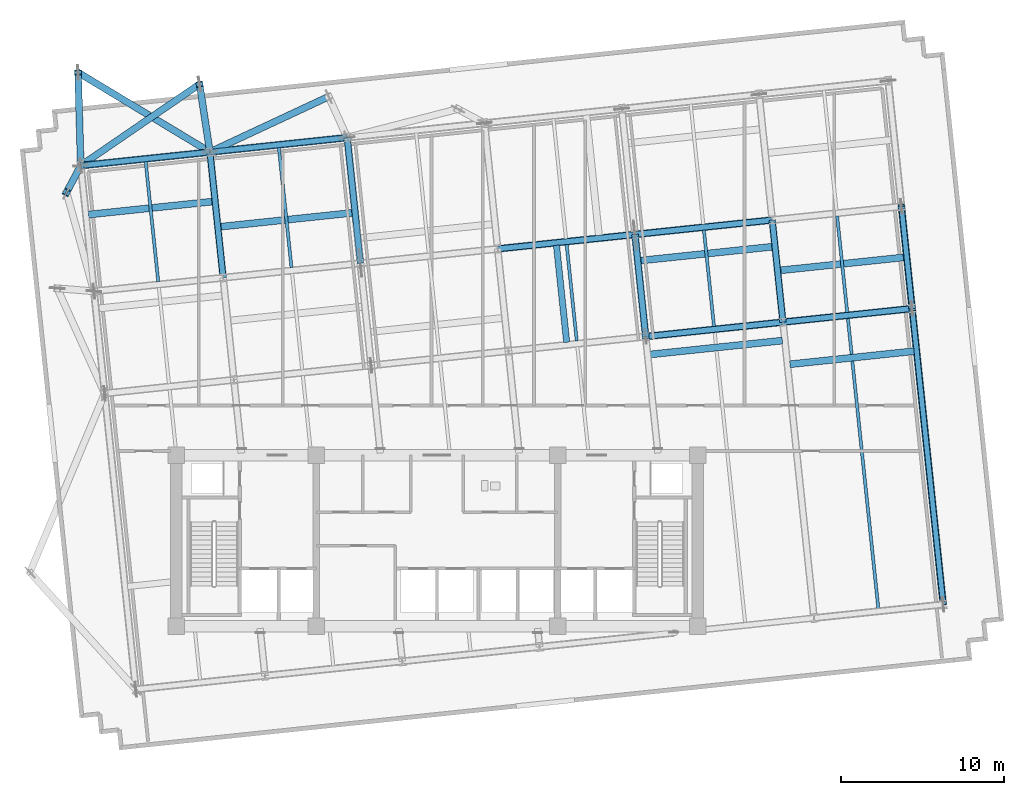
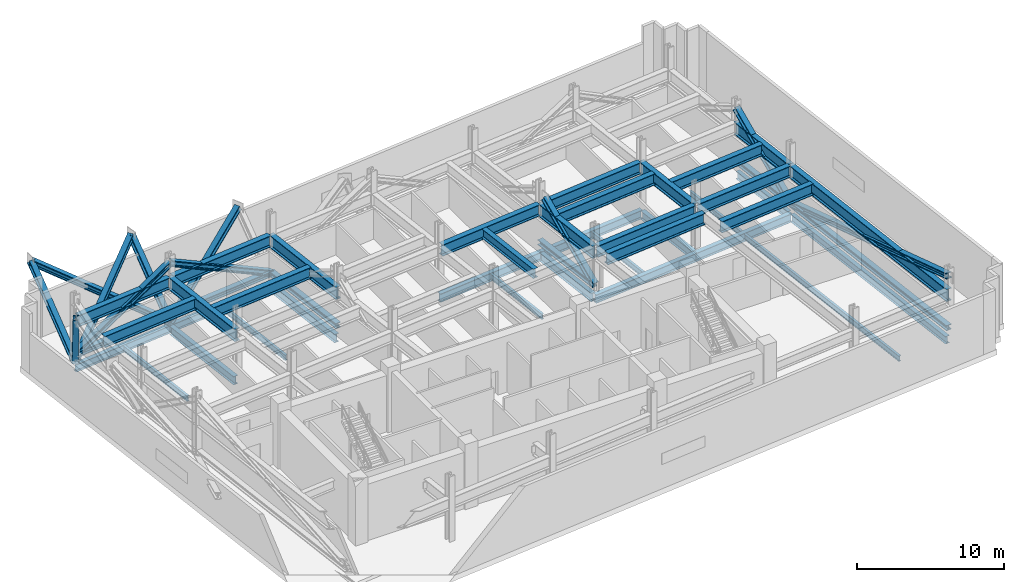
# One storey, part 3 of 11: 37 beams, 17 members.
"""IFC4 building model written with IfcOpenShell, lengths in metres."""

from ifc_helpers import new_model, si_unit, direction, frame, origin, origin_2d, place, context, subcontext, project, spatial, i_section, extrude, material, material_profile, profile_set, type_object, element, save


model = new_model("IFC4")

# Units and contexts
model_context = context("Model", 3, precision=1e-05, world=origin(), true_north=direction((0.0, 1.0)))
body_context = subcontext(model_context, "Body", "Model", "MODEL_VIEW")
ifc_project = project(units=[si_unit("LENGTHUNIT", "METRE"), si_unit("AREAUNIT", "SQUARE_METRE"), si_unit("VOLUMEUNIT", "CUBIC_METRE"), si_unit("PLANEANGLEUNIT", "RADIAN"), si_unit("MASSUNIT", "GRAM", prefix="KILO")], contexts=[model_context])

# Site, building, storey
site_placement = place(None, origin())
site = spatial("IfcSite", under=ifc_project, at=site_placement, CompositionType="ELEMENT")
building_placement = place(site_placement, origin())
building = spatial("IfcBuilding", under=site, at=building_placement, Name="Solmavex Isthmus Hotel", CompositionType="ELEMENT")
storey_placement = place(building_placement, frame((0.0, 0.0, 130.5)))
storey = spatial("IfcBuildingStorey", under=building, at=storey_placement, Name="L35", CompositionType="ELEMENT", Elevation=130.5)

# Beams
ifc_material_1 = material(Name="Steel ASTM A992 Grade 50", Category="steel")
ifc_material_profile_1 = material_profile(ifc_material_1, i_section(OverallWidth=0.354736328125, OverallDepth=0.695556640625, WebThickness=0.015380859375, FlangeThickness=0.02490234375, FilletRadius=0.017822265625, at=origin_2d()), Name="W27X146")
ifc_profile_set_1 = profile_set([ifc_material_profile_1], Name="Steel ASTM A992 Grade 50")
beam_type_1 = type_object("IfcBeamType", Name="BM-BG-W27X146", PredefinedType="BEAM", material=ifc_profile_set_1)
beam_1_placement = place(storey_placement, frame((12.800048828125, 4.7734375, -0.7978515625), z_axis=(0.994521085209, 0.104536171134, 0.0), x_axis=(-0.104536171134, 0.994521085209, 0.0)))
element("IfcBeam", 1, at=beam_1_placement, inside=storey, type_object=beam_type_1, Name="Floor Girder L35-UG11", PredefinedType="BEAM", context=body_context, shape_type="SweptSolid", body=[
    extrude(i_section(OverallWidth=0.354736328125, OverallDepth=0.695556640625, WebThickness=0.015380859375, FlangeThickness=0.02490234375, FilletRadius=0.017822265625, at=origin_2d()), origin(), (0.0, 0.0, 1.0), 8.466064453125),
])
beam_2_placement = place(storey_placement, frame((21.2197265625, 5.658447265625, -0.7978515625), z_axis=(0.994523402738, 0.104514120609, 0.0), x_axis=(-0.104514120609, 0.994523402738, 0.0)))
element("IfcBeam", 2, at=beam_2_placement, inside=storey, type_object=beam_type_1, Name="Floor Girder L35-UG12", PredefinedType="BEAM", context=body_context, shape_type="SweptSolid", body=[
    extrude(i_section(OverallWidth=0.354736328125, OverallDepth=0.695556640625, WebThickness=0.015380859375, FlangeThickness=0.02490234375, FilletRadius=0.017822265625, at=origin_2d()), origin(), (0.0, 0.0, 1.0), 7.968017578125),
])
for number, where, z_axis, x_axis, name in (
    (3, (3.72216796875, 10.152099609375, -0.7978515625), (0.994524082861, 0.104507648572, 0.0), (-0.104507648572, 0.994524082861, 0.0), "Floor Girder L35-UG16"),
    (4, (12.141845703125, 11.036865234375, -0.7978515625), (0.994521085209, 0.104536171134, 0.0), (-0.104536171134, 0.994521085209, 0.0), "Floor Girder L35-UG17"),
):
    element("IfcBeam", number, at=place(storey_placement, frame(where, z_axis=z_axis, x_axis=x_axis)), inside=storey, type_object=beam_type_1, Name=name, PredefinedType="BEAM", context=body_context, shape_type="SweptSolid", body=[
        extrude(i_section(OverallWidth=0.354736328125, OverallDepth=0.695556640625, WebThickness=0.015380859375, FlangeThickness=0.02490234375, FilletRadius=0.017822265625, at=origin_2d()), origin(), (0.0, 0.0, 1.0), 8.466064453125),
    ])
for number, where, z_axis, x_axis, name in (
    (5, (-13.135498046875, 8.55859375, -0.7978515625), (-0.1045578893, 0.994518802128, 0.0), (-0.994518802128, -0.1045578893, 0.0), "Floor Beam L35-VG31"),
    (6, (-4.716064453125, 9.443603515625, -0.7978515625), (-0.104525307271, 0.994522227072, 0.0), (-0.994522227072, -0.104525307271, 0.0), "Floor Beam L35-VG35"),
):
    element("IfcBeam", number, at=place(storey_placement, frame(where, z_axis=z_axis, x_axis=x_axis)), inside=storey, type_object=beam_type_1, Name=name, PredefinedType="BEAM", context=body_context, shape_type="SweptSolid", body=[
        extrude(i_section(OverallWidth=0.354736328125, OverallDepth=0.695556640625, WebThickness=0.015380859375, FlangeThickness=0.02490234375, FilletRadius=0.017822265625, at=origin_2d()), origin(), (0.0, 0.0, 1.0), 7.4111328125),
    ])
for number, where, z_axis, x_axis, name in (
    (7, (12.781494140625, 4.949951171875, -0.7978515625), (-0.104505160346, 0.994524344328, 0.0), (-0.994524344328, -0.104505160346, 0.0), "Floor Beam L35-VG41"),
    (8, (21.201171875, 5.834716796875, -0.7978515625), (-0.104505160346, 0.994524344328, 0.0), (-0.994524344328, -0.104505160346, 0.0), "Floor Beam L35-VG44"),
):
    element("IfcBeam", number, at=place(storey_placement, frame(where, z_axis=z_axis, x_axis=x_axis)), inside=storey, type_object=beam_type_1, Name=name, PredefinedType="BEAM", context=body_context, shape_type="SweptSolid", body=[
        extrude(i_section(OverallWidth=0.354736328125, OverallDepth=0.695556640625, WebThickness=0.015380859375, FlangeThickness=0.02490234375, FilletRadius=0.017822265625, at=origin_2d()), origin(), (0.0, 0.0, 1.0), 5.943115234375),
    ])
ifc_material_profile_2 = material_profile(ifc_material_1, i_section(OverallWidth=0.380615234375, OverallDepth=0.773193359375, WebThickness=0.0166015625, FlangeThickness=0.027099609375, FilletRadius=0.01904296875, at=origin_2d()), Name="W30X173")
ifc_profile_set_2 = profile_set([ifc_material_profile_2], Name="Steel ASTM A992 Grade 50")
beam_type_2 = type_object("IfcBeamType", Name="BM-BG-W30X173", PredefinedType="BEAM", material=ifc_profile_set_2)
beam_3_placement = place(storey_placement, frame((7.953125, 4.419921875, 3.183349609375), z_axis=(-0.104540460253, 0.994520634361, 0.0), x_axis=(-0.994520634361, -0.104540460253, 0.0)))
element("IfcBeam", 9, at=beam_3_placement, inside=storey, type_object=beam_type_2, Name="Floor Framing Cross Girder L35-XLC56", PredefinedType="BEAM", context=body_context, shape_type="SweptSolid", body=[
    extrude(i_section(OverallWidth=0.380615234375, OverallDepth=0.773193359375, WebThickness=0.0166015625, FlangeThickness=0.027099609375, FilletRadius=0.01904296875, at=origin_2d()), origin(), (0.0, 0.0, 1.0), 5.98779296875),
])
ifc_material_profile_3 = material_profile(ifc_material_1, i_section(OverallWidth=0.1904296875, OverallDepth=0.456787109375, WebThickness=0.009033203125, FlangeThickness=0.014404296875, FilletRadius=0.0126953125, at=origin_2d()), Name="W18X50")
ifc_profile_set_3 = profile_set([ifc_material_profile_3], Name="Steel ASTM A992 Grade 50")
beam_type_3 = type_object("IfcBeamType", Name="BM-BJ-W18X50", PredefinedType="JOIST", material=ifc_profile_set_3)
beam_4_placement = place(storey_placement, frame((-17.097900390625, 8.14208984375, -0.678466796875), z_axis=(-0.104525307271, 0.994522227072, 0.0), x_axis=(-0.994522227072, -0.104525307271, 0.0)))
element("IfcBeam", 10, at=beam_4_placement, inside=storey, type_object=beam_type_3, Name="Secondary Floor Joist L35-J04", PredefinedType="JOIST", context=body_context, shape_type="SweptSolid", body=[
    extrude(i_section(OverallWidth=0.1904296875, OverallDepth=0.456787109375, WebThickness=0.009033203125, FlangeThickness=0.014404296875, FilletRadius=0.0126953125, at=origin_2d()), origin(), (0.0, 0.0, 1.0), 7.4111328125),
])
beam_5_placement = place(storey_placement, frame((-8.92578125, 9.0009765625, -0.678466796875), z_axis=(-0.10452188296, 0.994522586964, 0.0), x_axis=(-0.994522586964, -0.10452188296, 0.0)))
element("IfcBeam", 11, at=beam_5_placement, inside=storey, type_object=beam_type_3, Name="Secondary Floor Joist L35-J08", PredefinedType="JOIST", context=body_context, shape_type="SweptSolid", body=[
    extrude(i_section(OverallWidth=0.1904296875, OverallDepth=0.456787109375, WebThickness=0.009033203125, FlangeThickness=0.014404296875, FilletRadius=0.0126953125, at=origin_2d()), origin(), (0.0, 0.0, 1.0), 7.411376953125),
])
for number, where, z_axis, x_axis, name in (
    (12, (8.57177734375, 4.50732421875, -0.678466796875), (-0.104545790518, 0.994520074048, 0.0), (-0.994520074048, -0.104545790518, 0.0), "Secondary Floor Joist L35-J14"),
    (13, (16.991455078125, 5.392333984375, -0.678466796875), (-0.104545790518, 0.994520074048, 0.0), (-0.994520074048, -0.104545790518, 0.0), "Secondary Floor Joist L35-J17"),
):
    element("IfcBeam", number, at=place(storey_placement, frame(where, z_axis=z_axis, x_axis=x_axis)), inside=storey, type_object=beam_type_3, Name=name, PredefinedType="JOIST", context=body_context, shape_type="SweptSolid", body=[
        extrude(i_section(OverallWidth=0.1904296875, OverallDepth=0.456787109375, WebThickness=0.009033203125, FlangeThickness=0.014404296875, FilletRadius=0.0126953125, at=origin_2d()), origin(), (0.0, 0.0, 1.0), 5.943115234375),
    ])
beam_6_placement = place(storey_placement, frame((27.072509765625, -11.912841796875, -0.678466796875), z_axis=(-0.104530088192, 0.99452172458, 0.0), x_axis=(-0.99452172458, -0.104530088192, 0.0)))
element("IfcBeam", 14, at=beam_6_placement, inside=storey, type_object=beam_type_3, Name="Secondary Floor Joist L35-J19", PredefinedType="JOIST", context=body_context, shape_type="SweptSolid", body=[
    extrude(i_section(OverallWidth=0.1904296875, OverallDepth=0.456787109375, WebThickness=0.009033203125, FlangeThickness=0.014404296875, FilletRadius=0.0126953125, at=origin_2d()), origin(), (0.0, 0.0, 1.0), 17.909423828125),
])
beam_7_placement = place(storey_placement, frame((25.163330078125, 6.251220703125, -0.678466796875), z_axis=(-0.104505160346, 0.994524344328, 0.0), x_axis=(-0.994524344328, -0.104505160346, 0.0)))
element("IfcBeam", 15, at=beam_7_placement, inside=storey, type_object=beam_type_3, Name="Secondary Floor Joist L35-J20", PredefinedType="JOIST", context=body_context, shape_type="SweptSolid", body=[
    extrude(i_section(OverallWidth=0.1904296875, OverallDepth=0.456787109375, WebThickness=0.009033203125, FlangeThickness=0.014404296875, FilletRadius=0.0126953125, at=origin_2d()), origin(), (0.0, 0.0, 1.0), 5.943115234375),
])
ifc_material_profile_4 = material_profile(ifc_material_1, i_section(OverallWidth=0.326416015625, OverallDepth=0.621826171875, WebThickness=0.015380859375, FlangeThickness=0.0244140625, FilletRadius=0.01513671875, at=origin_2d()), Name="W24X131")
ifc_profile_set_4 = profile_set([ifc_material_profile_4], Name="Steel ASTM A992 Grade 50")
beam_type_4 = type_object("IfcBeamType", Name="BM-SP-W24X131", PredefinedType="SPANDREL", material=ifc_profile_set_4)
beam_8_placement = place(storey_placement, frame((-21.851806640625, 15.2587890625, -0.760986328125), z_axis=(0.994523402738, 0.104514120609, 0.0), x_axis=(-0.104514120609, 0.994523402738, 0.0)))
element("IfcBeam", 16, at=beam_8_placement, inside=storey, type_object=beam_type_4, Name="Floor Girder L35-UG19", PredefinedType="SPANDREL", context=body_context, shape_type="SweptSolid", body=[
    extrude(i_section(OverallWidth=0.326416015625, OverallDepth=0.621826171875, WebThickness=0.015380859375, FlangeThickness=0.0244140625, FilletRadius=0.01513671875, at=origin_2d()), origin(), (0.0, 0.0, 1.0), 7.968017578125),
])
beam_9_placement = place(storey_placement, frame((-13.927490234375, 16.091552734375, -0.760986328125), z_axis=(0.994521085209, 0.104536171134, 0.0), x_axis=(-0.104536171134, 0.994521085209, 0.0)))
element("IfcBeam", 17, at=beam_9_placement, inside=storey, type_object=beam_type_4, Name="Floor Girder L35-UG20", PredefinedType="SPANDREL", context=body_context, shape_type="SweptSolid", body=[
    extrude(i_section(OverallWidth=0.326416015625, OverallDepth=0.621826171875, WebThickness=0.015380859375, FlangeThickness=0.0244140625, FilletRadius=0.01513671875, at=origin_2d()), origin(), (0.0, 0.0, 1.0), 8.466064453125),
])
beam_10_placement = place(storey_placement, frame((31.03466796875, -11.496337890625, -0.760986328125), z_axis=(-0.104530088192, 0.99452172458, 0.0), x_axis=(-0.99452172458, -0.104530088192, 0.0)))
element("IfcBeam", 18, at=beam_10_placement, inside=storey, type_object=beam_type_4, Name="Floor Beam L35-VG46", PredefinedType="SPANDREL", context=body_context, shape_type="SweptSolid", body=[
    extrude(i_section(OverallWidth=0.326416015625, OverallDepth=0.621826171875, WebThickness=0.015380859375, FlangeThickness=0.0244140625, FilletRadius=0.01513671875, at=origin_2d()), origin(), (0.0, 0.0, 1.0), 17.909423828125),
])
beam_11_placement = place(storey_placement, frame((29.12548828125, 6.667724609375, -0.760986328125), z_axis=(-0.104505160346, 0.994524344328, 0.0), x_axis=(-0.994524344328, -0.104505160346, 0.0)))
element("IfcBeam", 19, at=beam_11_placement, inside=storey, type_object=beam_type_4, Name="Floor Beam L35-VG47", PredefinedType="SPANDREL", context=body_context, shape_type="SweptSolid", body=[
    extrude(i_section(OverallWidth=0.326416015625, OverallDepth=0.621826171875, WebThickness=0.015380859375, FlangeThickness=0.0244140625, FilletRadius=0.01513671875, at=origin_2d()), origin(), (0.0, 0.0, 1.0), 5.943115234375),
])
ifc_material_2 = material(Name="Steel ASTM A913 Grade 65", Category="steel")
ifc_material_profile_5 = material_profile(ifc_material_2, i_section(OverallWidth=0.423095703125, OverallDepth=0.93896484375, WebThickness=0.02392578125, FlangeThickness=0.042724609375, FilletRadius=0.024169921875, at=origin_2d()), Name="W36X302")
ifc_profile_set_5 = profile_set([ifc_material_profile_5], Name="Steel ASTM A913 Grade 65")
beam_type_5 = type_object("IfcBeamType", Name="BM-TB-W36X302", PredefinedType="BEAM", material=ifc_profile_set_5)
beam_12_placement = place(storey_placement, frame((12.954345703125, 4.78955078125, 3.1005859375), z_axis=(0.994521842818, 0.104528963253, 0.0), x_axis=(-0.104528963253, 0.994521842818, 0.0)))
element("IfcBeam", 20, at=beam_12_placement, inside=storey, type_object=beam_type_5, Name="Horizontal Outrigger Collector Girder L35-XLC35", PredefinedType="BEAM", context=body_context, shape_type="SweptSolid", body=[
    extrude(i_section(OverallWidth=0.423095703125, OverallDepth=0.93896484375, WebThickness=0.02392578125, FlangeThickness=0.042724609375, FilletRadius=0.024169921875, at=origin_2d()), origin(), (0.0, 0.0, 1.0), 8.156005859375),
])
beam_13_placement = place(storey_placement, frame((21.373779296875, 5.674560546875, 3.1005859375), z_axis=(0.99452133767, 0.104533769272, 0.0), x_axis=(-0.104533769272, 0.99452133767, 0.0)))
element("IfcBeam", 21, at=beam_13_placement, inside=storey, type_object=beam_type_5, Name="Horizontal Outrigger Collector Girder L35-XLC36", PredefinedType="BEAM", context=body_context, shape_type="SweptSolid", body=[
    extrude(i_section(OverallWidth=0.423095703125, OverallDepth=0.93896484375, WebThickness=0.02392578125, FlangeThickness=0.042724609375, FilletRadius=0.024169921875, at=origin_2d()), origin(), (0.0, 0.0, 1.0), 7.658203125),
])
for number, where, z_axis, x_axis, name in (
    (22, (3.876220703125, 10.168212890625, 3.1005859375), (0.994521842818, 0.104528963253, 0.0), (-0.104528963253, 0.994521842818, 0.0), "Horizontal Outrigger Collector Girder L35-XLC40"),
    (23, (12.2958984375, 11.05322265625, 3.1005859375), (0.994521842818, 0.104528963253, 0.0), (-0.104528963253, 0.994521842818, 0.0), "Horizontal Outrigger Collector Girder L35-XLC41"),
):
    element("IfcBeam", number, at=place(storey_placement, frame(where, z_axis=z_axis, x_axis=x_axis)), inside=storey, type_object=beam_type_5, Name=name, PredefinedType="BEAM", context=body_context, shape_type="SweptSolid", body=[
        extrude(i_section(OverallWidth=0.423095703125, OverallDepth=0.93896484375, WebThickness=0.02392578125, FlangeThickness=0.042724609375, FilletRadius=0.024169921875, at=origin_2d()), origin(), (0.0, 0.0, 1.0), 8.156005859375),
    ])
beam_14_placement = place(storey_placement, frame((-21.697509765625, 15.27490234375, 3.1005859375), z_axis=(0.994520989294, 0.104537083632, 0.0), x_axis=(-0.104537083632, 0.994520989294, 0.0)))
element("IfcBeam", 24, at=beam_14_placement, inside=storey, type_object=beam_type_5, Name="Horizontal Outrigger Collector Girder L35-XLC43", PredefinedType="BEAM", context=body_context, shape_type="SweptSolid", body=[
    extrude(i_section(OverallWidth=0.423095703125, OverallDepth=0.93896484375, WebThickness=0.02392578125, FlangeThickness=0.042724609375, FilletRadius=0.024169921875, at=origin_2d()), origin(), (0.0, 0.0, 1.0), 7.657958984375),
])
beam_15_placement = place(storey_placement, frame((-13.773193359375, 16.10791015625, 3.1005859375), z_axis=(0.994521842818, 0.104528963253, 0.0), x_axis=(-0.104528963253, 0.994521842818, 0.0)))
element("IfcBeam", 25, at=beam_15_placement, inside=storey, type_object=beam_type_5, Name="Horizontal Outrigger Collector Girder L35-XLC44", PredefinedType="BEAM", context=body_context, shape_type="SweptSolid", body=[
    extrude(i_section(OverallWidth=0.423095703125, OverallDepth=0.93896484375, WebThickness=0.02392578125, FlangeThickness=0.042724609375, FilletRadius=0.024169921875, at=origin_2d()), origin(), (0.0, 0.0, 1.0), 8.156005859375),
])
beam_16_placement = place(storey_placement, frame((-21.380126953125, 12.254150390625, 3.1005859375), z_axis=(0.99452133767, 0.104533769272, 0.0), x_axis=(-0.104533769272, 0.99452133767, 0.0)))
element("IfcBeam", 26, at=beam_16_placement, inside=storey, type_object=beam_type_5, Name="Horizontal Outrigger Collector Girder L35-XLC51", PredefinedType="BEAM", context=body_context, shape_type="SweptSolid", body=[
    extrude(i_section(OverallWidth=0.423095703125, OverallDepth=0.93896484375, WebThickness=0.02392578125, FlangeThickness=0.042724609375, FilletRadius=0.024169921875, at=origin_2d()), origin(), (0.0, 0.0, 1.0), 7.658203125),
])
for number, where, z_axis, x_axis, name in (
    (27, (-13.2900390625, 11.509521484375, 3.1005859375), (0.994521842818, 0.104528963253, 0.0), (-0.104528963253, 0.994521842818, 0.0), "Horizontal Outrigger Collector Girder L35-XLC53"),
    (28, (13.071533203125, 3.67431640625, 3.1005859375), (0.994521842818, 0.104528963253, 0.0), (-0.104528963253, 0.994521842818, 0.0), "Horizontal Outrigger Collector Girder L35-XLC58"),
    (29, (12.46630859375, 9.431884765625, 3.1005859375), (0.994521842818, 0.104528963253, 0.0), (-0.104528963253, 0.994521842818, 0.0), "Horizontal Outrigger Collector Girder L35-XLC59"),
):
    element("IfcBeam", number, at=place(storey_placement, frame(where, z_axis=z_axis, x_axis=x_axis)), inside=storey, type_object=beam_type_5, Name=name, PredefinedType="BEAM", context=body_context, shape_type="SweptSolid", body=[
        extrude(i_section(OverallWidth=0.423095703125, OverallDepth=0.93896484375, WebThickness=0.02392578125, FlangeThickness=0.042724609375, FilletRadius=0.024169921875, at=origin_2d()), origin(), (0.0, 0.0, 1.0), 8.156005859375),
    ])
for number, where, z_axis, x_axis, name in (
    (30, (21.647216796875, 3.074462890625, 3.1005859375), (0.994520989294, 0.104537083632, 0.0), (-0.104537083632, 0.994520989294, 0.0), "Horizontal Outrigger Collector Girder L35-XLC61"),
    (31, (21.0419921875, 8.832275390625, 3.1005859375), (0.994524303269, 0.104505551086, 0.0), (-0.104505551086, 0.994524303269, 0.0), "Horizontal Outrigger Collector Girder L35-XLC62"),
):
    element("IfcBeam", number, at=place(storey_placement, frame(where, z_axis=z_axis, x_axis=x_axis)), inside=storey, type_object=beam_type_5, Name=name, PredefinedType="BEAM", context=body_context, shape_type="SweptSolid", body=[
        extrude(i_section(OverallWidth=0.423095703125, OverallDepth=0.93896484375, WebThickness=0.02392578125, FlangeThickness=0.042724609375, FilletRadius=0.024169921875, at=origin_2d()), origin(), (0.0, 0.0, 1.0), 7.657958984375),
    ])
ifc_material_profile_6 = material_profile(ifc_material_2, i_section(OverallWidth=0.409423828125, OverallDepth=1.036376953125, WebThickness=0.031005859375, FlangeThickness=0.055908203125, FilletRadius=0.030517578125, at=origin_2d()), Name="W40X397")
ifc_profile_set_6 = profile_set([ifc_material_profile_6], Name="Steel ASTM A913 Grade 65")
beam_type_6 = type_object("IfcBeamType", Name="BM-TB-W40X397B", PredefinedType="BEAM", material=ifc_profile_set_6)
for number, where, z_axis, x_axis, name in (
    (32, (-13.1171875, 8.382080078125, 3.0517578125), (-0.104529038259, 0.994521834934, 0.0), (-0.994521834934, -0.104529038259, 0.0), "Horizontal Transfer Carrier Girder L35-XLC07"),
    (33, (-4.697509765625, 9.26708984375, 3.0517578125), (-0.104529038259, 0.994521834934, 0.0), (-0.994521834934, -0.104529038259, 0.0), "Horizontal Transfer Carrier Girder L35-XLC11"),
):
    element("IfcBeam", number, at=place(storey_placement, frame(where, z_axis=z_axis, x_axis=x_axis)), inside=storey, type_object=beam_type_6, Name=name, PredefinedType="BEAM", context=body_context, shape_type="SweptSolid", body=[
        extrude(i_section(OverallWidth=0.409423828125, OverallDepth=1.036376953125, WebThickness=0.031005859375, FlangeThickness=0.055908203125, FilletRadius=0.030517578125, at=origin_2d()), origin(), (0.0, 0.0, 1.0), 7.751953125),
    ])
for number, where, z_axis, x_axis, name in (
    (34, (12.800048828125, 4.7734375, 3.0517578125), (-0.104511241839, 0.994523705263, 0.0), (-0.994523705263, -0.104511241839, 0.0), "Horizontal Transfer Carrier Girder L35-XLC17"),
    (35, (21.2197265625, 5.658447265625, 3.0517578125), (-0.104511241839, 0.994523705263, 0.0), (-0.994523705263, -0.104511241839, 0.0), "Horizontal Transfer Carrier Girder L35-XLC20"),
):
    element("IfcBeam", number, at=place(storey_placement, frame(where, z_axis=z_axis, x_axis=x_axis)), inside=storey, type_object=beam_type_6, Name=name, PredefinedType="BEAM", context=body_context, shape_type="SweptSolid", body=[
        extrude(i_section(OverallWidth=0.409423828125, OverallDepth=1.036376953125, WebThickness=0.031005859375, FlangeThickness=0.055908203125, FilletRadius=0.030517578125, at=origin_2d()), origin(), (0.0, 0.0, 1.0), 6.2978515625),
    ])
beam_17_placement = place(storey_placement, frame((31.0517578125, -11.65869140625, 3.0517578125), z_axis=(-0.104532974434, 0.994521421215, 0.0), x_axis=(-0.994521421215, -0.104532974434, 0.0)))
element("IfcBeam", 36, at=beam_17_placement, inside=storey, type_object=beam_type_6, Name="Horizontal Transfer Carrier Girder L35-XLC22", PredefinedType="BEAM", context=body_context, shape_type="SweptSolid", body=[
    extrude(i_section(OverallWidth=0.409423828125, OverallDepth=1.036376953125, WebThickness=0.031005859375, FlangeThickness=0.055908203125, FilletRadius=0.030517578125, at=origin_2d()), origin(), (0.0, 0.0, 1.0), 18.25),
])
beam_18_placement = place(storey_placement, frame((29.14404296875, 6.4912109375, 3.0517578125), z_axis=(-0.104511241839, 0.994523705263, 0.0), x_axis=(-0.994523705263, -0.104511241839, 0.0)))
element("IfcBeam", 37, at=beam_18_placement, inside=storey, type_object=beam_type_6, Name="Horizontal Transfer Carrier Girder L35-XLC23", PredefinedType="BEAM", context=body_context, shape_type="SweptSolid", body=[
    extrude(i_section(OverallWidth=0.409423828125, OverallDepth=1.036376953125, WebThickness=0.031005859375, FlangeThickness=0.055908203125, FilletRadius=0.030517578125, at=origin_2d()), origin(), (0.0, 0.0, 1.0), 6.2978515625),
])

# Members
ifc_material_profile_7 = material_profile(ifc_material_2, i_section(OverallWidth=0.412109375, OverallDepth=0.434814453125, WebThickness=0.035888671875, FlangeThickness=0.057373046875, FilletRadius=0.030517578125, at=origin_2d()), Name="W14X311")
ifc_profile_set_7 = profile_set([ifc_material_profile_7], Name="Steel ASTM A913 Grade 65")
member_type_1 = type_object("IfcMemberType", Name="MEM-TC-W14X311", PredefinedType="CHORD", material=ifc_profile_set_7)
member_1_placement = place(storey_placement, frame((-21.851806640625, 15.2587890625, 0.35009765625), z_axis=(0.994523402738, 0.104514120609, 0.0), x_axis=(-0.104514120609, 0.994523402738, 0.0)))
element("IfcMember", 38, at=member_1_placement, inside=storey, type_object=member_type_1, Name="Outrigger and Belt Transfer Truss Bottom Chord BT-L35-N-01", PredefinedType="CHORD", context=body_context, shape_type="SweptSolid", body=[
    extrude(i_section(OverallWidth=0.412109375, OverallDepth=0.434814453125, WebThickness=0.035888671875, FlangeThickness=0.057373046875, FilletRadius=0.030517578125, at=origin_2d()), origin(), (0.0, 0.0, 1.0), 7.968017578125),
])
member_2_placement = place(storey_placement, frame((-13.927490234375, 16.091552734375, 0.35009765625), z_axis=(0.994521085209, 0.104536171134, 0.0), x_axis=(-0.104536171134, 0.994521085209, 0.0)))
element("IfcMember", 39, at=member_2_placement, inside=storey, type_object=member_type_1, Name="Outrigger and Belt Transfer Truss Bottom Chord BT-L35-N-02", PredefinedType="CHORD", context=body_context, shape_type="SweptSolid", body=[
    extrude(i_section(OverallWidth=0.412109375, OverallDepth=0.434814453125, WebThickness=0.035888671875, FlangeThickness=0.057373046875, FilletRadius=0.030517578125, at=origin_2d()), origin(), (0.0, 0.0, 1.0), 8.466064453125),
])
member_3_placement = place(storey_placement, frame((31.0517578125, -11.65869140625, 0.35009765625), z_axis=(-0.104532974434, 0.994521421215, 0.0), x_axis=(-0.994521421215, -0.104532974434, 0.0)))
element("IfcMember", 40, at=member_3_placement, inside=storey, type_object=member_type_1, Name="Outrigger and Belt Transfer Truss Bottom Chord BT-L35-E-10", PredefinedType="CHORD", context=body_context, shape_type="SweptSolid", body=[
    extrude(i_section(OverallWidth=0.412109375, OverallDepth=0.434814453125, WebThickness=0.035888671875, FlangeThickness=0.057373046875, FilletRadius=0.030517578125, at=origin_2d()), origin(), (0.0, 0.0, 1.0), 18.25),
])
member_4_placement = place(storey_placement, frame((29.14404296875, 6.4912109375, 0.35009765625), z_axis=(-0.104511241839, 0.994523705263, 0.0), x_axis=(-0.994523705263, -0.104511241839, 0.0)))
element("IfcMember", 41, at=member_4_placement, inside=storey, type_object=member_type_1, Name="Outrigger and Belt Transfer Truss Bottom Chord BT-L35-E-11", PredefinedType="CHORD", context=body_context, shape_type="SweptSolid", body=[
    extrude(i_section(OverallWidth=0.412109375, OverallDepth=0.434814453125, WebThickness=0.035888671875, FlangeThickness=0.057373046875, FilletRadius=0.030517578125, at=origin_2d()), origin(), (0.0, 0.0, 1.0), 6.2978515625),
])
member_5_placement = place(storey_placement, frame((-4.697509765625, 9.26708984375, 0.35009765625), z_axis=(-0.104529038259, 0.994521834934, 0.0), x_axis=(-0.994521834934, -0.104529038259, 0.0)))
element("IfcMember", 42, at=member_5_placement, inside=storey, type_object=member_type_1, Name="Outrigger and Belt Transfer Truss Bottom Chord OT-L35-W-14", PredefinedType="CHORD", context=body_context, shape_type="SweptSolid", body=[
    extrude(i_section(OverallWidth=0.412109375, OverallDepth=0.434814453125, WebThickness=0.035888671875, FlangeThickness=0.057373046875, FilletRadius=0.030517578125, at=origin_2d()), origin(), (0.0, 0.0, 1.0), 7.751953125),
])
member_6_placement = place(storey_placement, frame((12.800048828125, 4.7734375, 0.35009765625), z_axis=(-0.104511241839, 0.994523705263, 0.0), x_axis=(-0.994523705263, -0.104511241839, 0.0)))
element("IfcMember", 43, at=member_6_placement, inside=storey, type_object=member_type_1, Name="Outrigger and Belt Transfer Truss Bottom Chord OT-L35-E-15", PredefinedType="CHORD", context=body_context, shape_type="SweptSolid", body=[
    extrude(i_section(OverallWidth=0.412109375, OverallDepth=0.434814453125, WebThickness=0.035888671875, FlangeThickness=0.057373046875, FilletRadius=0.030517578125, at=origin_2d()), origin(), (0.0, 0.0, 1.0), 6.2978515625),
])
ifc_material_profile_8 = material_profile(ifc_material_2, i_section(OverallWidth=0.41845703125, OverallDepth=0.455078125, WebThickness=0.0419921875, FlangeThickness=0.067626953125, FilletRadius=0.030517578125, at=origin_2d()), Name="W14X370")
ifc_profile_set_8 = profile_set([ifc_material_profile_8], Name="Steel ASTM A913 Grade 65")
member_type_2 = type_object("IfcMemberType", Name="MEM-TM-W14X370", PredefinedType="BRACE", material=ifc_profile_set_8)
member_7_placement = place(storey_placement, frame((-21.851806640625, 15.2587890625, -0.25), z_axis=(-0.166554565318, -0.313780231137, 0.934773525149), x_axis=(0.883280325001, -0.468845248954, 0.0)))
element("IfcMember", 44, at=member_7_placement, inside=storey, type_object=member_type_2, Name="Perimeter Facade Transfer Bracket L35-FBR05", PredefinedType="BRACE", context=body_context, shape_type="SweptSolid", body=[
    extrude(i_section(OverallWidth=0.41845703125, OverallDepth=0.455078125, WebThickness=0.0419921875, FlangeThickness=0.067626953125, FilletRadius=0.030517578125, at=origin_2d()), origin(), (0.0, 0.0, 1.0), 5.24169921875),
])
member_8_placement = place(storey_placement, frame((-21.851806640625, 15.2587890625, -0.25), z_axis=(-0.021857487689, 0.758882892315, 0.650860204639), x_axis=(-0.999585474874, -0.02879024871, 0.0)))
element("IfcMember", 45, at=member_8_placement, inside=storey, type_object=member_type_2, Name="Perimeter Facade Transfer Bracket L35-FBR07", PredefinedType="BRACE", context=body_context, shape_type="SweptSolid", body=[
    extrude(i_section(OverallWidth=0.41845703125, OverallDepth=0.455078125, WebThickness=0.0419921875, FlangeThickness=0.067626953125, FilletRadius=0.030517578125, at=origin_2d()), origin(), (0.0, 0.0, 1.0), 7.5283203125),
])
member_9_placement = place(storey_placement, frame((-13.927490234375, 16.091552734375, -0.25), z_axis=(-0.760073322542, 0.458585829941, 0.460421090891), x_axis=(-0.516599641107, -0.856227078997, 0.0)))
element("IfcMember", 46, at=member_9_placement, inside=storey, type_object=member_type_2, Name="Perimeter Facade Transfer Bracket L35-FBR08", PredefinedType="BRACE", context=body_context, shape_type="SweptSolid", body=[
    extrude(i_section(OverallWidth=0.41845703125, OverallDepth=0.455078125, WebThickness=0.0419921875, FlangeThickness=0.067626953125, FilletRadius=0.030517578125, at=origin_2d()), origin(), (0.0, 0.0, 1.0), 10.642333984375),
])
member_10_placement = place(storey_placement, frame((-13.927490234375, 16.091552734375, -0.25), z_axis=(-0.098326846676, 0.644301589478, 0.758424217057), x_axis=(-0.988554635092, -0.150863293872, 0.0)))
element("IfcMember", 47, at=member_10_placement, inside=storey, type_object=member_type_2, Name="Perimeter Facade Transfer Bracket L35-FBR09", PredefinedType="BRACE", context=body_context, shape_type="SweptSolid", body=[
    extrude(i_section(OverallWidth=0.41845703125, OverallDepth=0.455078125, WebThickness=0.0419921875, FlangeThickness=0.067626953125, FilletRadius=0.030517578125, at=origin_2d()), origin(), (0.0, 0.0, 1.0), 6.460693359375),
])
member_11_placement = place(storey_placement, frame((-21.851806640625, 15.2587890625, -0.25), z_axis=(0.72139554745, 0.494388876486, 0.484941339675), x_axis=(-0.565308733408, 0.824879406903, 0.0)))
element("IfcMember", 48, at=member_11_placement, inside=storey, type_object=member_type_2, Name="Perimeter Facade Transfer Bracket L35-FBR10", PredefinedType="BRACE", context=body_context, shape_type="SweptSolid", body=[
    extrude(i_section(OverallWidth=0.41845703125, OverallDepth=0.455078125, WebThickness=0.0419921875, FlangeThickness=0.067626953125, FilletRadius=0.030517578125, at=origin_2d()), origin(), (0.0, 0.0, 1.0), 10.10400390625),
])
member_12_placement = place(storey_placement, frame((-13.927490234375, 16.091552734375, -0.25), z_axis=(0.773734495517, 0.361167727546, 0.520473633363), x_axis=(-0.422973582874, 0.906142013258, 0.0)))
element("IfcMember", 49, at=member_12_placement, inside=storey, type_object=member_type_2, Name="Perimeter Facade Transfer Bracket L35-FBR12", PredefinedType="BRACE", context=body_context, shape_type="SweptSolid", body=[
    extrude(i_section(OverallWidth=0.41845703125, OverallDepth=0.455078125, WebThickness=0.0419921875, FlangeThickness=0.067626953125, FilletRadius=0.030517578125, at=origin_2d()), origin(), (0.0, 0.0, 1.0), 9.414306640625),
])
member_13_placement = place(storey_placement, frame((-21.851806640625, 15.2587890625, 0.35009765625), z_axis=(0.875219208551, 0.091976484083, 0.474901740742), x_axis=(-0.104514120609, 0.994523402738, 0.0)))
element("IfcMember", 50, at=member_13_placement, inside=storey, type_object=member_type_2, Name="Outrigger and Belt Transfer Truss Diagonal Brace BT-L35-N-01", PredefinedType="BRACE", context=body_context, shape_type="SweptSolid", body=[
    extrude(i_section(OverallWidth=0.41845703125, OverallDepth=0.455078125, WebThickness=0.0419921875, FlangeThickness=0.067626953125, FilletRadius=0.030517578125, at=origin_2d()), origin(), (0.0, 0.0, 1.0), 9.05419921875),
])
member_14_placement = place(storey_placement, frame((-13.927490234375, 16.091552734375, 4.64990234375), z_axis=(0.886711641489, 0.093204097208, -0.452830499316), x_axis=(-0.104536171134, 0.994521085209, 0.0)))
element("IfcMember", 51, at=member_14_placement, inside=storey, type_object=member_type_2, Name="Outrigger and Belt Transfer Truss Diagonal Brace BT-L35-N-02", PredefinedType="BRACE", context=body_context, shape_type="SweptSolid", body=[
    extrude(i_section(OverallWidth=0.41845703125, OverallDepth=0.455078125, WebThickness=0.0419921875, FlangeThickness=0.067626953125, FilletRadius=0.030517578125, at=origin_2d()), origin(), (0.0, 0.0, 1.0), 9.495361328125),
])
member_15_placement = place(storey_placement, frame((31.0517578125, -11.65869140625, 4.64990234375), z_axis=(-0.101747085101, 0.968016611281, -0.229328085845), x_axis=(-0.994521421215, -0.104532974434, 0.0)))
element("IfcMember", 52, at=member_15_placement, inside=storey, type_object=member_type_2, Name="Outrigger and Belt Transfer Truss Diagonal Brace BT-L35-E-10", PredefinedType="BRACE", context=body_context, shape_type="SweptSolid", body=[
    extrude(i_section(OverallWidth=0.41845703125, OverallDepth=0.455078125, WebThickness=0.0419921875, FlangeThickness=0.067626953125, FilletRadius=0.030517578125, at=origin_2d()), origin(), (0.0, 0.0, 1.0), 18.74951171875),
])
member_16_placement = place(storey_placement, frame((29.14404296875, 6.4912109375, 0.35009765625), z_axis=(-0.086313219889, 0.821352246385, 0.563853274736), x_axis=(-0.994523705263, -0.104511241839, 0.0)))
element("IfcMember", 53, at=member_16_placement, inside=storey, type_object=member_type_2, Name="Outrigger and Belt Transfer Truss Diagonal Brace BT-L35-E-11", PredefinedType="BRACE", context=body_context, shape_type="SweptSolid", body=[
    extrude(i_section(OverallWidth=0.41845703125, OverallDepth=0.455078125, WebThickness=0.0419921875, FlangeThickness=0.067626953125, FilletRadius=0.030517578125, at=origin_2d()), origin(), (0.0, 0.0, 1.0), 7.625732421875),
])
member_17_placement = place(storey_placement, frame((12.800048828125, 4.7734375, 0.35009765625), z_axis=(-0.086304031784, 0.821358200301, 0.563846008141), x_axis=(-0.99452494028, -0.104499488804, 0.0)))
element("IfcMember", 54, at=member_17_placement, inside=storey, type_object=member_type_2, Name="Outrigger and Belt Transfer Truss Diagonal Brace OT-L35-E-15", PredefinedType="BRACE", context=body_context, shape_type="SweptSolid", body=[
    extrude(i_section(OverallWidth=0.41845703125, OverallDepth=0.455078125, WebThickness=0.0419921875, FlangeThickness=0.067626953125, FilletRadius=0.030517578125, at=origin_2d()), origin(), (0.0, 0.0, 1.0), 6.975830078125),
])

save(model, "model.ifc")
